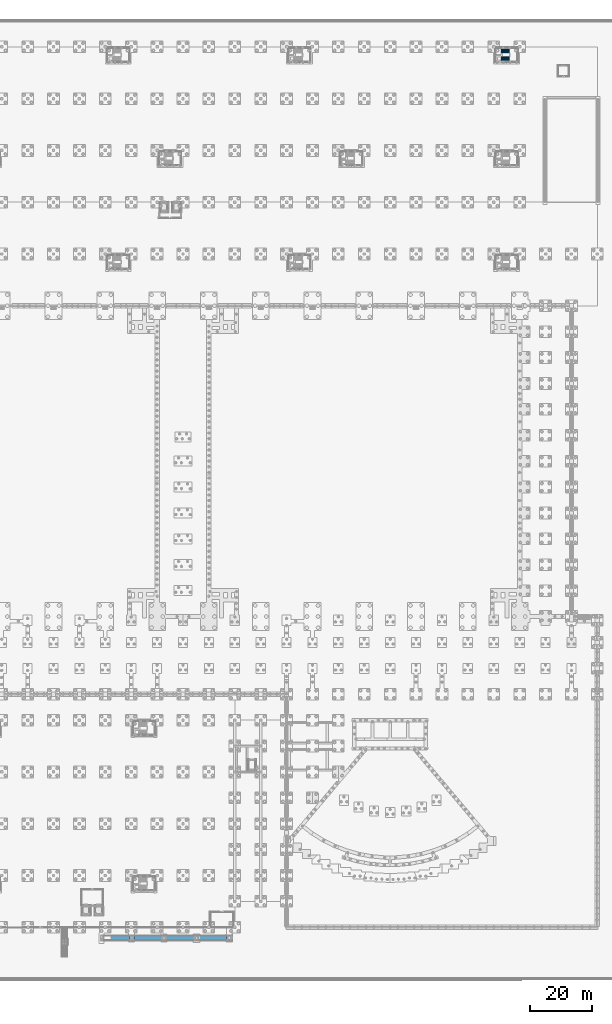
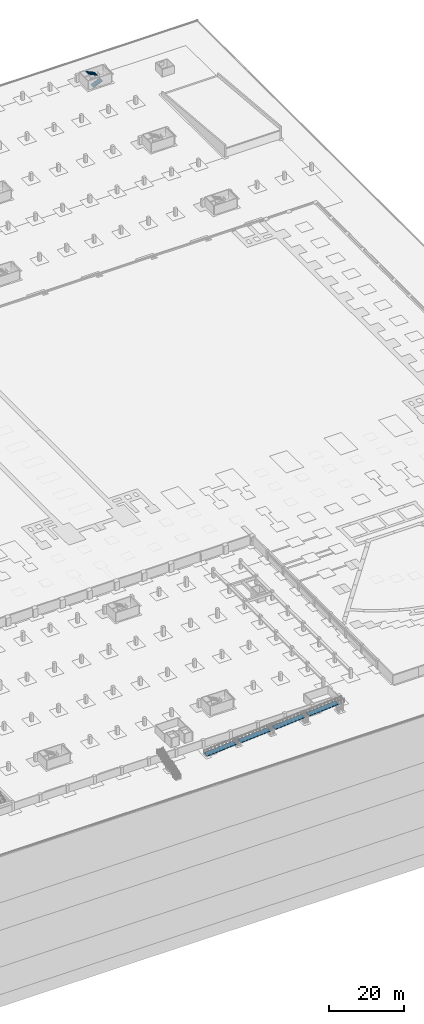
# One storey, part 51 of 67: 4 ramp flights, 2 stair flights, 2 elements without a shape of their own.
"""IFC4 building model written with IfcOpenShell, lengths in metres."""

from ifc_helpers import new_model, si_unit, direction, frame, origin, place, context, subcontext, project, spatial, polyline, outline, extrude, material, layer, layer_set, type_object, element, aggregate, save


model = new_model("IFC4")

# Units and contexts
model_context = context("Model", 3, precision=1e-05, world=origin(), true_north=direction((0.0, 1.0)))
body_context = subcontext(model_context, "Body", "Model", "MODEL_VIEW")
ifc_project = project(units=[si_unit("LENGTHUNIT", "METRE"), si_unit("AREAUNIT", "SQUARE_METRE"), si_unit("VOLUMEUNIT", "CUBIC_METRE"), si_unit("PLANEANGLEUNIT", "RADIAN"), si_unit("MASSUNIT", "GRAM", prefix="KILO")], contexts=[model_context])

# Site, building, storey
site_placement = place(None, origin())
site = spatial("IfcSite", under=ifc_project, at=site_placement, CompositionType="ELEMENT")
building_placement = place(site_placement, origin())
building = spatial("IfcBuilding", under=site, at=building_placement, Name="Rain Tree Exposition and Congress Centre", CompositionType="ELEMENT")
storey_placement = place(building_placement, frame((0.0, 0.0, -3.0)))
storey = spatial("IfcBuildingStorey", under=building, at=storey_placement, Name="B1", CompositionType="ELEMENT", Elevation=-3.0)

# Stair, stair flights
ifc_material_1 = material(Name="Precast concrete C50/60", Category="concrete")
stair_type = type_object("IfcStairType", Name="Exit stair 1600 wide", PredefinedType="HALF_TURN_STAIR", material=ifc_material_1)
stair_placement = place(storey_placement, origin())
stair = element("IfcStair", 1, at=stair_placement, inside=storey, type_object=stair_type, Name="Exit stair N12", PredefinedType="HALF_TURN_STAIR")
ifc_material_2 = material(Name="Precast concrete C50/60", Category="concrete")
stair_flight_type = type_object("IfcStairFlightType", Name="Exit stair flight 1600 wide", PredefinedType="STRAIGHT", material=ifc_material_2)
stair_flight_1_placement = place(storey_placement, frame((237.5, 281.64990234375, 0.0), z_axis=(0.0, 0.0, 1.0), x_axis=(1.0, 0.0, 0.0)))
stair_flight_1 = element("IfcStairFlight", 2, at=stair_flight_1_placement, type_object=stair_flight_type, Name="XS-N12 flight 1", NumberOfRisers=12, NumberOfTreads=11, PredefinedType="STRAIGHT", RiserHeight=0.125, TreadLength=0.26, context=body_context, shape_type="SweptSolid", body=[
    extrude(outline(polyline([(0.0, 0.0), (0.0, 0.125), (0.260009765625, 0.125), (0.260009765625, 0.25), (0.52001953125, 0.25), (0.52001953125, 0.375), (0.780029296875, 0.375), (0.780029296875, 0.5), (1.0400390625, 0.5), (1.0400390625, 0.625), (1.300048828125, 0.625), (1.300048828125, 0.75), (1.56005859375, 0.75), (1.56005859375, 0.875), (1.820068359375, 0.875), (1.820068359375, 1.0), (2.080078125, 1.0), (2.080078125, 1.125), (2.340087890625, 1.125), (2.340087890625, 1.25), (2.60009765625, 1.25), (2.60009765625, 1.375), (2.860107421875, 1.375), (2.860107421875, 1.5), (2.860107421875, 1.208740234375), (0.345947265625, 0.0), (0.0, 0.0)])), frame((0.0, 0.800048828125, 0.0), z_axis=(0.0, -1.0, 0.0), x_axis=(1.0, 0.0, 0.0)), (0.0, 0.0, 1.0), 1.60009765625),
])
stair_flight_2_placement = place(storey_placement, frame((240.360107421875, 284.35009765625, 1.5), z_axis=(0.0, 0.0, 1.0), x_axis=(-1.0, 0.0, 0.0)))
stair_flight_2 = element("IfcStairFlight", 3, at=stair_flight_2_placement, type_object=stair_flight_type, Name="XS-N12 flight 2", NumberOfRisers=12, NumberOfTreads=11, PredefinedType="STRAIGHT", RiserHeight=0.125, TreadLength=0.26, context=body_context, shape_type="SweptSolid", body=[
    extrude(outline(polyline([(0.0, 0.0), (0.0, 0.125), (0.260009765625, 0.125), (0.260009765625, 0.25), (0.52001953125, 0.25), (0.52001953125, 0.375), (0.780029296875, 0.375), (0.780029296875, 0.5), (1.0400390625, 0.5), (1.0400390625, 0.625), (1.300048828125, 0.625), (1.300048828125, 0.75), (1.56005859375, 0.75), (1.56005859375, 0.875), (1.820068359375, 0.875), (1.820068359375, 1.0), (2.080078125, 1.0), (2.080078125, 1.125), (2.340087890625, 1.125), (2.340087890625, 1.25), (2.60009765625, 1.25), (2.60009765625, 1.375), (2.860107421875, 1.375), (2.860107421875, 1.5), (2.860107421875, 1.208740234375), (0.345947265625, 0.0), (0.0, 0.0)])), frame((0.0, 0.800048828125, 0.0), z_axis=(0.0, -1.0, 0.0), x_axis=(1.0, 0.0, 0.0)), (0.0, 0.0, 1.0), 1.60009765625),
])
aggregate(stair, [stair_flight_1, stair_flight_2])

# Ramp, ramp flights
ifc_material_3 = material(Name="Precast concrete C50/60", Category="concrete")
ramp_type = type_object("IfcRampType", Name="Accessible ramp 1800 wide", PredefinedType="STRAIGHT_RUN_RAMP", material=ifc_material_3)
ramp_placement = place(storey_placement, origin())
ramp = element("IfcRamp", 4, at=ramp_placement, inside=storey, type_object=ramp_type, Name="Accessible ramp RMP-S1", PredefinedType="STRAIGHT_RUN_RAMP")
ifc_material_4 = material(Name="Precast concrete C50/60", Category="concrete")
ifc_layer = layer(ifc_material_4, 0.199951171875)
ifc_layer_set = layer_set([ifc_layer], Name="Precast concrete C50/60")
ramp_flight_type = type_object("IfcRampFlightType", Name="Precast ramp flight 200 thick", PredefinedType="STRAIGHT", material=ifc_layer_set)
ramp_flight_1_placement = place(storey_placement, frame((108.0, -4.39990234375, 0.260009765625), z_axis=(-0.075898066476, 0.0, 0.997115581818), x_axis=(0.997115581818, 0.0, 0.075898066476)))
ramp_flight_1 = element("IfcRampFlight", 5, at=ramp_flight_1_placement, type_object=ramp_flight_type, Name="Ramp flight 1", PredefinedType="STRAIGHT", context=body_context, shape_type="SweptSolid", body=[
    extrude(outline(polyline([(0.0, 0.0), (4.513017429527354, 0.0), (9.026034859054707, 0.0), (9.026034859054707, 0.89990234375), (9.026034859054707, 1.7998046875), (4.513017429527354, 1.7998046875), (0.0, 1.7998046875), (0.0, 0.89990234375), (0.0, 0.0)])), origin(), (0.0, 0.0, -1.0), 0.199951171875),
])
ramp_flight_2_placement = place(storey_placement, frame((118.5, -4.39990234375, 0.945068359375), z_axis=(-0.075871173716, 0.0, 0.997117628467), x_axis=(0.997117628467, 0.0, 0.075871173716)))
ramp_flight_2 = element("IfcRampFlight", 6, at=ramp_flight_2_placement, type_object=ramp_flight_type, Name="Ramp flight 3", PredefinedType="STRAIGHT", context=body_context, shape_type="SweptSolid", body=[
    extrude(outline(polyline([(0.0, 0.0), (4.5130174278859485, 0.0), (9.026016332536127, 0.0), (9.026016332536127, 0.89990234375), (9.026016332536127, 1.7998046875), (4.5130174278859485, 1.7998046875), (0.0, 1.7998046875), (0.0, 0.89990234375), (0.0, 0.0)])), origin(), (0.0, 0.0, -1.0), 0.199951171875),
])
ramp_flight_3_placement = place(storey_placement, frame((129.0, -4.39990234375, 1.6298828125), z_axis=(-0.075898066476, 0.0, 0.997115581818), x_axis=(0.997115581818, 0.0, 0.075898066476)))
ramp_flight_3 = element("IfcRampFlight", 7, at=ramp_flight_3_placement, type_object=ramp_flight_type, Name="Ramp flight 5", PredefinedType="STRAIGHT", context=body_context, shape_type="SweptSolid", body=[
    extrude(outline(polyline([(0.0, 0.0), (4.513017429527354, 0.0), (9.026034859054707, 0.0), (9.026034859054707, 0.89990234375), (9.026034859054707, 1.7998046875), (4.513017429527354, 1.7998046875), (0.0, 1.7998046875), (0.0, 0.89990234375), (0.0, 0.0)])), origin(), (0.0, 0.0, -1.0), 0.199951171875),
])
ramp_flight_4_placement = place(storey_placement, frame((139.5, -4.39990234375, 2.31494140625), z_axis=(-0.075898066476, 0.0, 0.997115581818), x_axis=(0.997115581818, 0.0, 0.075898066476)))
ramp_flight_4 = element("IfcRampFlight", 8, at=ramp_flight_4_placement, type_object=ramp_flight_type, Name="Ramp flight 7", PredefinedType="STRAIGHT", context=body_context, shape_type="SweptSolid", body=[
    extrude(outline(polyline([(0.0, 0.0), (4.513017429527354, 0.0), (9.026034859054707, 0.0), (9.026034859054707, 0.89990234375), (9.026034859054707, 1.7998046875), (4.513017429527354, 1.7998046875), (0.0, 1.7998046875), (0.0, 0.89990234375), (0.0, 0.0)])), origin(), (0.0, 0.0, -1.0), 0.199951171875),
])
aggregate(ramp, [ramp_flight_1, ramp_flight_2, ramp_flight_3, ramp_flight_4])

save(model, "model.ifc")
